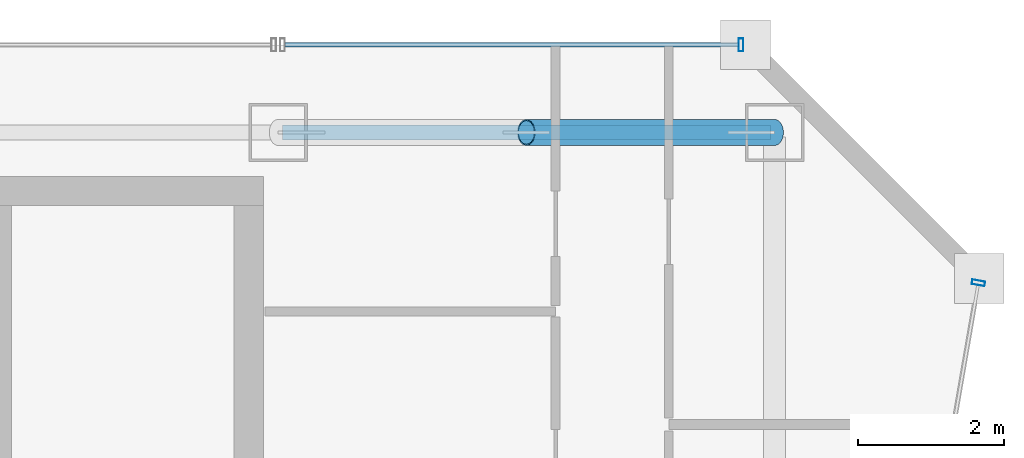
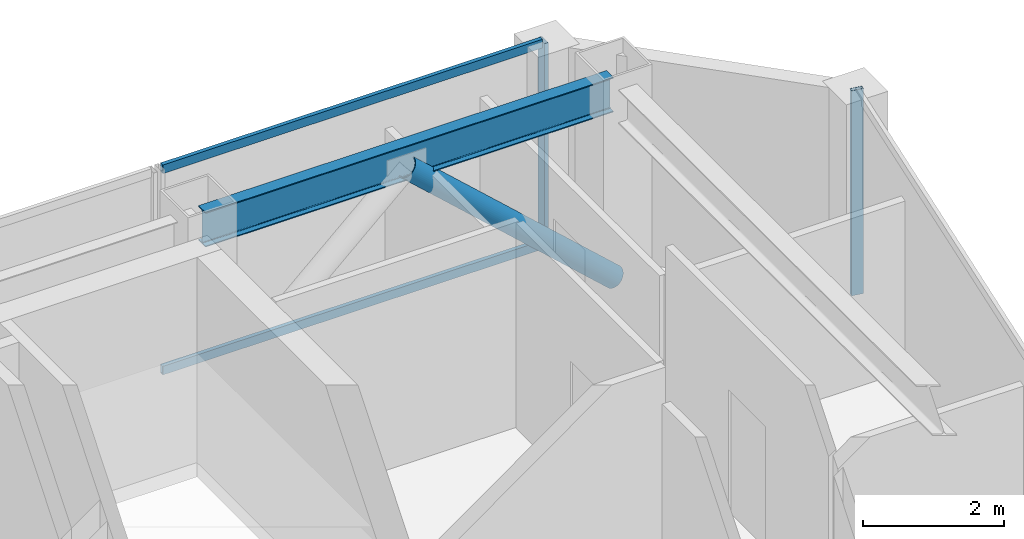
# One storey, part 23 of 32: 5 members, 1 beam, 2 elements without a shape of their own.
"""IFC4 building model written with IfcOpenShell, lengths in metres."""

from ifc_helpers import new_model, si_unit, direction, frame, origin, origin_2d, place, context, subcontext, project, spatial, hollow_rectangle, hollow_circle, i_section, extrude, material, material_profile, profile_set, type_object, element, aggregate, save


model = new_model("IFC4")

# Units and contexts
model_context = context("Model", 3, precision=1e-05, world=origin(), true_north=direction((0.0, 1.0)))
body_context = subcontext(model_context, "Body", "Model", "MODEL_VIEW")
ifc_project = project(units=[si_unit("LENGTHUNIT", "METRE"), si_unit("AREAUNIT", "SQUARE_METRE"), si_unit("VOLUMEUNIT", "CUBIC_METRE"), si_unit("PLANEANGLEUNIT", "RADIAN"), si_unit("MASSUNIT", "GRAM", prefix="KILO")], contexts=[model_context])

# Site, building, storey
site_placement = place(None, origin())
site = spatial("IfcSite", under=ifc_project, at=site_placement, CompositionType="ELEMENT")
building_placement = place(site_placement, origin())
building = spatial("IfcBuilding", under=site, at=building_placement, Name="Saevonmaru Cultural Tower", CompositionType="ELEMENT")
storey_placement = place(building_placement, frame((0.0, 0.0, 245.800048828125)))
storey = spatial("IfcBuildingStorey", under=building, at=storey_placement, Name="L57", CompositionType="ELEMENT", Elevation=245.800048828125)

# Beam
ifc_material_1 = material(Name="Steel SM355", Category="steel")
ifc_material_profile_1 = material_profile(ifc_material_1, i_section(OverallWidth=0.199951171875, OverallDepth=0.60009765625, WebThickness=0.010986328125, FlangeThickness=0.01708984375, FilletRadius=0.02197265625, at=origin_2d()), Name="H-600x200x11x17")
ifc_profile_set_1 = profile_set([ifc_material_profile_1], Name="Steel SM355")
beam_type = type_object("IfcBeamType", Name="BM-SP-H600", PredefinedType="SPANDREL", material=ifc_profile_set_1)
beam_placement = place(storey_placement, frame((46.4599609375, 54.800048828125, 3.25), z_axis=(1.0, 0.0, 0.0), x_axis=(0.0, 1.0, 0.0)))
element("IfcBeam", 1, at=beam_placement, inside=storey, type_object=beam_type, Name="L57 North Spine Girder 5", PredefinedType="SPANDREL", context=body_context, shape_type="SweptSolid", body=[
    extrude(i_section(OverallWidth=0.199951171875, OverallDepth=0.60009765625, WebThickness=0.010986328125, FlangeThickness=0.01708984375, FilletRadius=0.02197265625, at=origin_2d()), origin(), (0.0, 0.0, 1.0), 6.679931640625),
])

# Member
ifc_material_profile_2 = material_profile(ifc_material_1, hollow_circle(Radius=0.177734375, WallThickness=0.01611328125, at=origin_2d()), Name="CHS-355.6x16")
ifc_profile_set_2 = profile_set([ifc_material_profile_2], Name="Steel SM355")
member_type_1 = type_object("IfcMemberType", Name="MB-PBR-CHS356", PredefinedType="BRACE", material=ifc_profile_set_2)
member_1_placement = place(storey_placement, frame((53.199951171875, 54.800048828125, 0.02001953125), z_axis=(-0.738962060105, 0.0, 0.673747039864), x_axis=(0.0, -1.0, 0.0)))
element("IfcMember", 2, at=member_1_placement, inside=storey, type_object=member_type_1, Name="L57 Perimeter Braced-Tube Diagonal EN2", PredefinedType="BRACE", context=body_context, shape_type="SweptSolid", body=[
    extrude(hollow_circle(Radius=0.177734375, WallThickness=0.01611328125, at=origin_2d()), origin(), (0.0, 0.0, 1.0), 4.600830078125),
])

# Curtain wall, member
ifc_material_2 = material(Name="Satin Bronze Anodised Aluminium", Category="aluminium")
curtain_wall_type = type_object("IfcCurtainWallType", Name="CW-TYP-B", PredefinedType="NOTDEFINED", material=ifc_material_2)
curtain_wall_1_placement = place(storey_placement, origin())
curtain_wall_1 = element("IfcCurtainWall", 3, at=curtain_wall_1_placement, inside=storey, type_object=curtain_wall_type, Name="L57 Unitised Curtain Wall E8", PredefinedType="NOTDEFINED")
ifc_material_profile_3 = material_profile(ifc_material_2, hollow_rectangle(XDim=0.06494140625, YDim=0.179931640625, WallThickness=0.00390625, at=origin_2d()), Name="ALU-MULL-180x65x4")
ifc_profile_set_3 = profile_set([ifc_material_profile_3], Name="Satin Bronze Anodised Aluminium")
member_type_2 = type_object("IfcMemberType", Name="ML-CW-180x65", PredefinedType="MULLION", material=ifc_profile_set_3)
member_2_placement = place(storey_placement, frame((55.98974609375, 52.740966796875, 0.0), z_axis=(0.0, 0.0, 1.0), x_axis=(0.170790369887, 0.985307388359, 0.0)))
member_2 = element("IfcMember", 4, at=member_2_placement, type_object=member_type_2, Name="CW-TW-L57-E8 mullion 4", PredefinedType="MULLION", context=body_context, shape_type="SweptSolid", body=[
    extrude(hollow_rectangle(XDim=0.06494140625, YDim=0.179931640625, WallThickness=0.00390625, at=origin_2d()), origin(), (0.0, 0.0, 1.0), 3.550048828125),
])
aggregate(curtain_wall_1, [member_2])

# Curtain wall, members
curtain_wall_2_placement = place(storey_placement, origin())
curtain_wall_2 = element("IfcCurtainWall", 5, at=curtain_wall_2_placement, inside=storey, type_object=curtain_wall_type, Name="L57 East Braced Bay Spandrel Curtain Wall E10A", PredefinedType="NOTDEFINED")
member_3_placement = place(storey_placement, frame((52.739990234375, 56.0, 0.0), z_axis=(0.0, 0.0, 1.0), x_axis=(-1.0, 0.0, 0.0)))
member_3 = element("IfcMember", 6, at=member_3_placement, type_object=member_type_2, Name="CW-TW-L57-E10A mullion 1", PredefinedType="MULLION", context=body_context, shape_type="SweptSolid", body=[
    extrude(hollow_rectangle(XDim=0.06494140625, YDim=0.179931640625, WallThickness=0.00390625, at=origin_2d()), origin(), (0.0, 0.0, 1.0), 3.550048828125),
])
ifc_material_profile_4 = material_profile(ifc_material_2, hollow_rectangle(XDim=0.06494140625, YDim=0.14990234375, WallThickness=0.00390625, at=origin_2d()), Name="ALU-TRAN-150x65x4")
ifc_profile_set_4 = profile_set([ifc_material_profile_4], Name="Satin Bronze Anodised Aluminium")
member_type_3 = type_object("IfcMemberType", Name="TR-CW-150x65", PredefinedType="USERDEFINED", material=ifc_profile_set_4)
member_4_placement = place(storey_placement, frame((52.70751953125, 56.0, 0.032470703125), z_axis=(-1.0, 0.0, 0.0), x_axis=(0.0, -1.0, 0.0)))
member_4 = element("IfcMember", 7, at=member_4_placement, type_object=member_type_3, Name="CW-TW-L57-E10A transom 1.1", ObjectType="TRANSOM", PredefinedType="USERDEFINED", context=body_context, shape_type="SweptSolid", body=[
    extrude(hollow_rectangle(XDim=0.06494140625, YDim=0.14990234375, WallThickness=0.00390625, at=origin_2d()), origin(), (0.0, 0.0, 1.0), 6.215087890625),
])
member_5_placement = place(storey_placement, frame((52.70751953125, 56.0, 3.517333984375), z_axis=(-1.0, 0.0, 0.0), x_axis=(0.0, -1.0, 0.0)))
member_5 = element("IfcMember", 8, at=member_5_placement, type_object=member_type_3, Name="CW-TW-L57-E10A transom 1.2", ObjectType="TRANSOM", PredefinedType="USERDEFINED", context=body_context, shape_type="SweptSolid", body=[
    extrude(hollow_rectangle(XDim=0.06494140625, YDim=0.14990234375, WallThickness=0.00390625, at=origin_2d()), origin(), (0.0, 0.0, 1.0), 6.215087890625),
])
aggregate(curtain_wall_2, [member_3, member_4, member_5])

save(model, "model.ifc")
